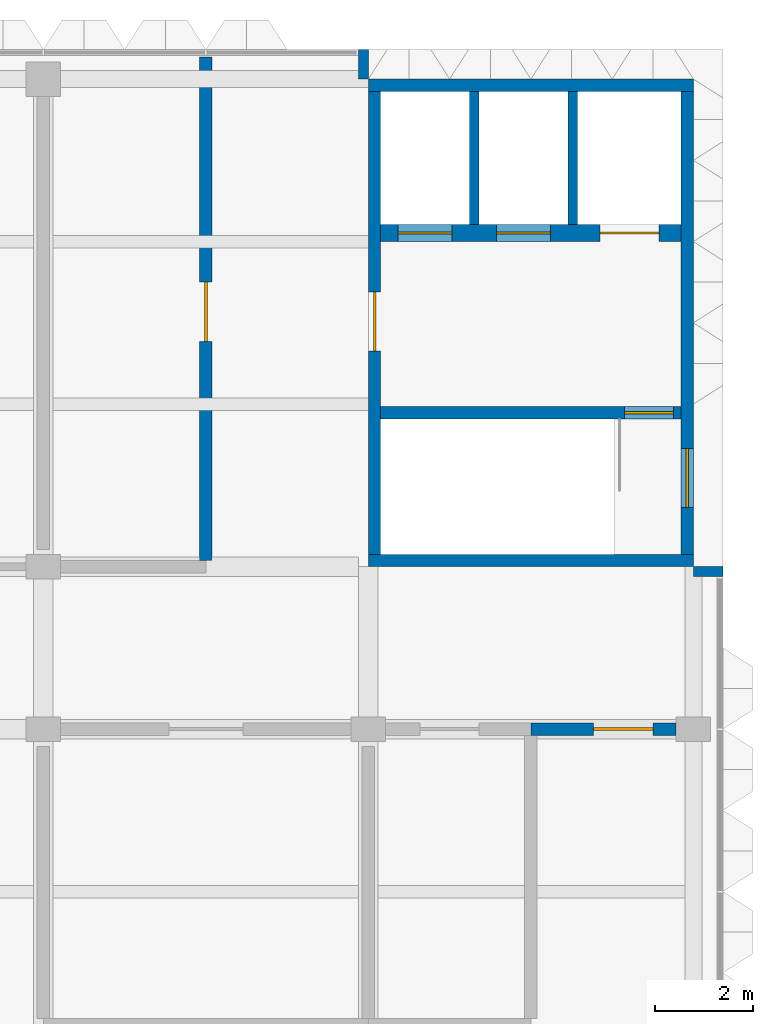
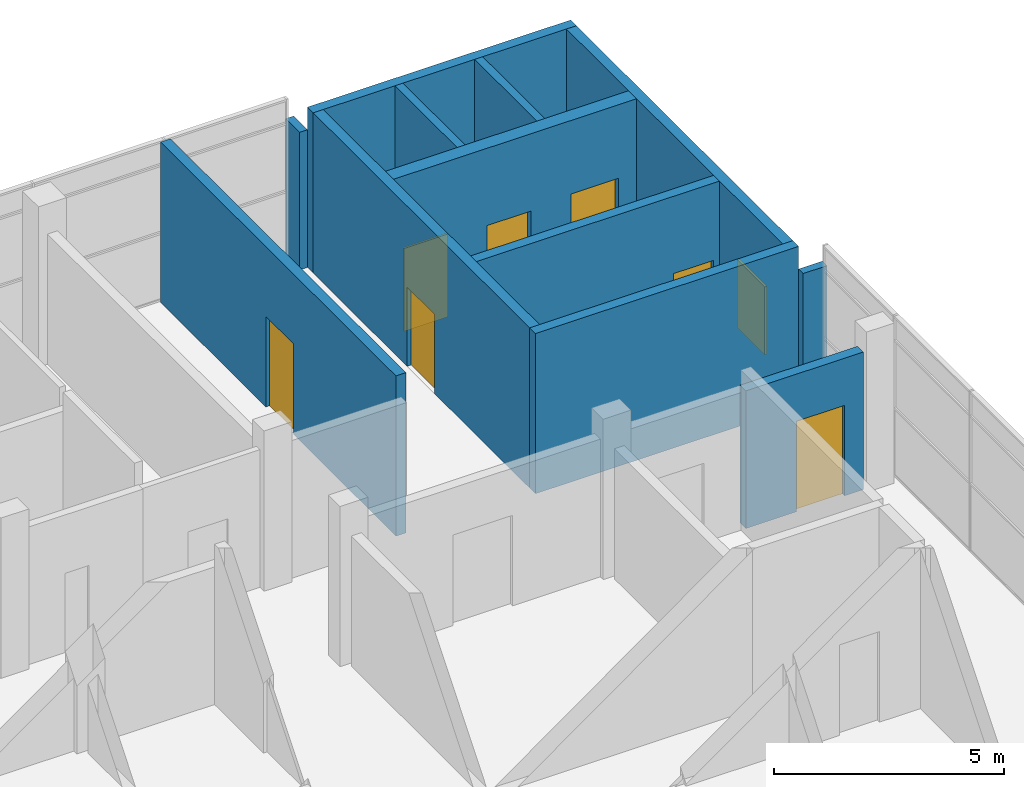
# One storey, part 10 of 21: 12 walls, 7 doors, 1 window, 8 openings.
"""IFC4 building model written with IfcOpenShell, lengths in metres."""

from ifc_helpers import new_model, si_unit, direction, frame, frame_2d, origin, place, context, subcontext, project, spatial, rectangle, extrude, material, layer, layer_set, type_object, element, fill, save


model = new_model("IFC4")

# Units and contexts
model_context = context("Model", 3, precision=1e-05, world=origin(), true_north=direction((0.0, 1.0)))
body_context = subcontext(model_context, "Body", "Model", "MODEL_VIEW")
ifc_project = project(units=[si_unit("LENGTHUNIT", "METRE"), si_unit("AREAUNIT", "SQUARE_METRE"), si_unit("VOLUMEUNIT", "CUBIC_METRE"), si_unit("PLANEANGLEUNIT", "RADIAN"), si_unit("MASSUNIT", "GRAM", prefix="KILO")], contexts=[model_context])

# Site, building, storey
site_placement = place(None, origin())
site = spatial("IfcSite", under=ifc_project, at=site_placement, CompositionType="ELEMENT")
building_placement = place(site_placement, origin())
building = spatial("IfcBuilding", under=site, at=building_placement, Name="Lantern Court Research Institute", CompositionType="ELEMENT")
storey_placement = place(building_placement, frame((0.0, 0.0, 41.39990234375)))
storey = spatial("IfcBuildingStorey", under=building, at=storey_placement, Name="L09", CompositionType="ELEMENT", Elevation=41.39990234375)

# Wall, opening, door
ifc_material_1 = material(Name="Fire-rated gypsum board partition, double stud, mineral wool filled")
ifc_layer_1 = layer(ifc_material_1, 0.25)
ifc_layer_set_1 = layer_set([ifc_layer_1], Name="Fire-rated gypsum board partition, double stud, mineral wool filled")
wall_type_1 = type_object("IfcWallType", Name="Plant compartment wall 250 EI 120", PredefinedType="PARTITIONING", material=ifc_layer_set_1)
wall_1_placement = place(storey_placement, frame((75.89990234375, 9.89990234375, 0.0), z_axis=(0.0, 0.0, 1.0), x_axis=(1.0, 0.0, 0.0)))
wall_1 = element("IfcWall", 1, at=wall_1_placement, inside=storey, type_object=wall_type_1, Name="Plant compartment wall 250 EI 120", PredefinedType="PARTITIONING", context=body_context, shape_type="SweptSolid", body=[
    extrude(rectangle(XDim=2.9501953125, YDim=0.25, at=frame_2d((1.47509765625, 0.0))), origin(), (0.0, 0.0, 1.0), 3.650146484375),
])
opening_1_placement = place(wall_1_placement, frame((1.27490234375, 0.0, 0.0)))
opening_1 = element("IfcOpeningElement", 2, at=opening_1_placement, cuts=wall_1, Name="Opening D5916", PredefinedType="OPENING", context=body_context, shape_type="SweptSolid", body=[
    extrude(rectangle(XDim=1.199951171875, YDim=2.39990234375, at=frame_2d((0.60009765625, 1.199951171875))), frame((0.0, 0.135009765625, 0.0), z_axis=(0.0, -1.0, 0.0), x_axis=(1.0, 0.0, 0.0)), (0.0, 0.0, 1.0), 0.27001953125),
])
ifc_material_2 = material(Name="Solid-core timber door leaf", Category="wood")
ifc_layer_2 = layer(ifc_material_2, 0.06005859375)
ifc_layer_set_2 = layer_set([ifc_layer_2], Name="Solid-core timber door leaf")
door_type_1 = type_object("IfcDoorType", Name="Plant room door 1200 x 2400 single FD60", OperationType="NOTDEFINED", PredefinedType="DOOR", material=ifc_layer_set_2)
door_1_placement = place(opening_1_placement, origin())
door_1 = element("IfcDoor", 3, at=door_1_placement, inside=storey, type_object=door_type_1, Name="Door D5916", OperationType="SINGLE_SWING_LEFT", OverallHeight=2.39990234375, OverallWidth=1.199951171875, PredefinedType="DOOR", context=body_context, shape_type="SweptSolid", body=[
    extrude(rectangle(XDim=1.199951171875, YDim=2.39990234375, at=frame_2d((0.60009765625, 1.199951171875))), frame((0.0, 0.030029296875, 0.0), z_axis=(0.0, -1.0, 0.0), x_axis=(1.0, 0.0, 0.0)), (0.0, 0.0, 1.0), 0.06005859375),
])
fill(opening_1, door_1)

wall_2_placement = place(storey_placement, frame((69.300048828125, 23.550048828125, 0.0), z_axis=(0.0, 0.0, 1.0), x_axis=(0.0, -1.0, 0.0)))
wall_2 = element("IfcWall", 4, at=wall_2_placement, inside=storey, type_object=wall_type_1, Name="Plant compartment wall 250 EI 120", PredefinedType="PARTITIONING", context=body_context, shape_type="SweptSolid", body=[
    extrude(rectangle(XDim=10.22509765625, YDim=0.25, at=frame_2d((5.112548828125, 0.0))), origin(), (0.0, 0.0, 1.0), 4.25),
])
opening_2_placement = place(wall_2_placement, frame((4.574951171875, 0.0, 0.0)))
opening_2 = element("IfcOpeningElement", 5, at=opening_2_placement, cuts=wall_2, Name="Opening D5908", PredefinedType="OPENING", context=body_context, shape_type="SweptSolid", body=[
    extrude(rectangle(XDim=1.199951171875, YDim=2.39990234375, at=frame_2d((0.60009765625, 1.199951171875))), frame((0.0, 0.135009765625, 0.0), z_axis=(0.0, -1.0, 0.0), x_axis=(1.0, 0.0, 0.0)), (0.0, 0.0, 1.0), 0.27001953125),
])
door_2_placement = place(opening_2_placement, origin())
door_2 = element("IfcDoor", 6, at=door_2_placement, inside=storey, type_object=door_type_1, Name="Door D5908", OperationType="SINGLE_SWING_RIGHT", OverallHeight=2.39990234375, OverallWidth=1.199951171875, PredefinedType="DOOR", context=body_context, shape_type="SweptSolid", body=[
    extrude(rectangle(XDim=1.199951171875, YDim=2.39990234375, at=frame_2d((0.60009765625, 1.199951171875))), frame((0.0, 0.030029296875, 0.0), z_axis=(0.0, -1.0, 0.0), x_axis=(1.0, 0.0, 0.0)), (0.0, 0.0, 1.0), 0.06005859375),
])
fill(opening_2, door_2)

# Wall
ifc_material_3 = material(Name="Concrete C40/50", Category="concrete")
ifc_layer_3 = layer(ifc_material_3, 0.25)
ifc_layer_set_3 = layer_set([ifc_layer_3], Name="Concrete C40/50")
wall_type_2 = type_object("IfcWallType", Name="RC core wall 250", PredefinedType="SHEAR", material=ifc_layer_set_3)
wall_3_placement = place(storey_placement, frame((72.60009765625, 13.324951171875, 0.0), z_axis=(0.0, 0.0, 1.0), x_axis=(1.0, 0.0, 0.0)))
element("IfcWall", 7, at=wall_3_placement, inside=storey, type_object=wall_type_2, Name="South wall of core TC-E", PredefinedType="SHEAR", context=body_context, shape_type="SweptSolid", body=[
    extrude(rectangle(XDim=6.599853515625, YDim=0.25, at=frame_2d((3.2998046875, 0.0))), origin(), (0.0, 0.0, 1.0), 4.25),
])

# Wall, opening, door
wall_4_placement = place(storey_placement, frame((72.72509765625, 13.449951171875, 0.0), z_axis=(0.0, 0.0, 1.0), x_axis=(0.0, 1.0, 0.0)))
wall_4 = element("IfcWall", 8, at=wall_4_placement, inside=storey, type_object=wall_type_2, Name="West wall of core TC-E", PredefinedType="SHEAR", context=body_context, shape_type="SweptSolid", body=[
    extrude(rectangle(XDim=9.400146484375, YDim=0.25, at=frame_2d((4.7001953125, 0.0))), origin(), (0.0, 0.0, 1.0), 4.25),
])
opening_3_placement = place(wall_4_placement, frame((4.125, 0.0, 0.0)))
opening_3 = element("IfcOpeningElement", 9, at=opening_3_placement, cuts=wall_4, Name="Opening D7192", PredefinedType="OPENING", context=body_context, shape_type="SweptSolid", body=[
    extrude(rectangle(XDim=1.199951171875, YDim=2.10009765625, at=frame_2d((0.60009765625, 1.050048828125))), frame((0.0, 0.135009765625, 0.0), z_axis=(0.0, -1.0, 0.0), x_axis=(1.0, 0.0, 0.0)), (0.0, 0.0, 1.0), 0.27001953125),
])
ifc_material_4 = material(Name="Steel fire door leaf with smoke seals", Category="steel")
door_type_2 = type_object("IfcDoorType", Name="Door 1200 x 2100 fire rated FD60S", OperationType="NOTDEFINED", PredefinedType="DOOR", material=ifc_material_4)
door_3_placement = place(opening_3_placement, origin())
door_3 = element("IfcDoor", 10, at=door_3_placement, inside=storey, type_object=door_type_2, Name="Lobby door", OperationType="SINGLE_SWING_LEFT", OverallHeight=2.10009765625, OverallWidth=1.199951171875, PredefinedType="DOOR", context=body_context, shape_type="SweptSolid", body=[
    extrude(rectangle(XDim=1.199951171875, YDim=2.10009765625, at=frame_2d((0.60009765625, 1.050048828125))), frame((0.0, 0.02490234375, 0.0), z_axis=(0.0, -1.0, 0.0), x_axis=(1.0, 0.0, 0.0)), (0.0, 0.0, 1.0), 0.050048828125),
])
fill(opening_3, door_3)

# Wall
ifc_material_5 = material(Name="Concrete C40/50", Category="concrete")
ifc_layer_4 = layer(ifc_material_5, 0.25)
ifc_layer_set_4 = layer_set([ifc_layer_4], Name="Concrete C40/50")
wall_type_3 = type_object("IfcWallType", Name="RC core wall 250 facade", PredefinedType="SHEAR", material=ifc_layer_set_4)
wall_5_placement = place(storey_placement, frame((72.60009765625, 22.97509765625, 0.0), z_axis=(0.0, 0.0, 1.0), x_axis=(1.0, 0.0, 0.0)))
element("IfcWall", 11, at=wall_5_placement, inside=storey, type_object=wall_type_3, Name="North wall of core TC-E", PredefinedType="SHEAR", context=body_context, shape_type="SweptSolid", body=[
    extrude(rectangle(XDim=6.599853515625, YDim=0.25, at=frame_2d((3.2998046875, 0.0))), origin(), (0.0, 0.0, 1.0), 4.25),
])

# Wall, opening, window
wall_6_placement = place(storey_placement, frame((79.074951171875, 13.449951171875, 0.0), z_axis=(0.0, 0.0, 1.0), x_axis=(0.0, 1.0, 0.0)))
wall_6 = element("IfcWall", 12, at=wall_6_placement, inside=storey, type_object=wall_type_3, Name="East wall of core TC-E", PredefinedType="SHEAR", context=body_context, shape_type="SweptSolid", body=[
    extrude(rectangle(XDim=9.400146484375, YDim=0.25, at=frame_2d((4.7001953125, 0.0))), origin(), (0.0, 0.0, 1.0), 4.25),
])
opening_4_placement = place(wall_6_placement, frame((0.949951171875, 0.0, 0.699951171875)))
opening_4 = element("IfcOpeningElement", 13, at=opening_4_placement, cuts=wall_6, Name="Opening W7", PredefinedType="OPENING", context=body_context, shape_type="SweptSolid", body=[
    extrude(rectangle(XDim=1.199951171875, YDim=1.800048828125, at=frame_2d((0.60009765625, 0.89990234375))), frame((0.0, 0.135009765625, 0.0), z_axis=(0.0, -1.0, 0.0), x_axis=(1.0, 0.0, 0.0)), (0.0, 0.0, 1.0), 0.27001953125),
])
ifc_material_6 = material(Name="Aluminium alloy 6063-T6 frame with laminated glass", Category="aluminium")
window_type = type_object("IfcWindowType", Name="Stair window 1200 x 1800", PartitioningType="SINGLE_PANEL", PredefinedType="WINDOW", material=ifc_material_6)
window_placement = place(opening_4_placement, origin())
window = element("IfcWindow", 14, at=window_placement, inside=storey, type_object=window_type, Name="Stair window", OverallHeight=1.800048828125, OverallWidth=1.199951171875, PartitioningType="SINGLE_PANEL", PredefinedType="WINDOW", context=body_context, shape_type="SweptSolid", body=[
    extrude(rectangle(XDim=1.199951171875, YDim=1.800048828125, at=frame_2d((0.60009765625, 0.89990234375))), frame((0.0, 0.030029296875, 0.0), z_axis=(0.0, -1.0, 0.0), x_axis=(1.0, 0.0, 0.0)), (0.0, 0.0, 1.0), 0.06005859375),
])
fill(opening_4, window)

# Walls
ifc_material_7 = material(Name="Concrete C40/50", Category="concrete")
ifc_layer_5 = layer(ifc_material_7, 0.199951171875)
ifc_layer_set_5 = layer_set([ifc_layer_5], Name="Concrete C40/50")
wall_type_4 = type_object("IfcWallType", Name="RC shaft wall 200", PredefinedType="SHEAR", material=ifc_layer_set_5)
for number, where, z_axis, x_axis, name in (
    (15, (74.75, 20.14990234375, 0.0), (0.0, 0.0, 1.0), (0.0, 1.0, 0.0), "Lift shaft wall of core TC-E"),
    (16, (76.75, 20.14990234375, 0.0), (0.0, 0.0, 1.0), (0.0, 1.0, 0.0), "Lift shaft wall of core TC-E"),
):
    element("IfcWall", number, at=place(storey_placement, frame(where, z_axis=z_axis, x_axis=x_axis)), inside=storey, type_object=wall_type_4, Name=name, PredefinedType="SHEAR", context=body_context, shape_type="SweptSolid", body=[
        extrude(rectangle(XDim=2.7001953125, YDim=0.199951171875, at=frame_2d((1.35009765625, 0.0))), origin(), (0.0, 0.0, 1.0), 4.25),
    ])

# Wall, opening, door
ifc_material_8 = material(Name="Concrete C40/50", Category="concrete")
ifc_layer_6 = layer(ifc_material_8, 0.25)
ifc_layer_set_6 = layer_set([ifc_layer_6], Name="Concrete C40/50")
wall_type_5 = type_object("IfcWallType", Name="RC shaft wall 250", PredefinedType="SHEAR", material=ifc_layer_set_6)
wall_7_placement = place(storey_placement, frame((72.85009765625, 16.324951171875, 0.0), z_axis=(0.0, 0.0, 1.0), x_axis=(1.0, 0.0, 0.0)))
wall_7 = element("IfcWall", 17, at=wall_7_placement, inside=storey, type_object=wall_type_5, Name="Stair wall of core TC-E", PredefinedType="SHEAR", context=body_context, shape_type="SweptSolid", body=[
    extrude(rectangle(XDim=6.099853515625, YDim=0.25, at=frame_2d((3.0498046875, 0.0))), origin(), (0.0, 0.0, 1.0), 4.25),
])
opening_5_placement = place(wall_7_placement, frame((4.949951171875, 0.0, 0.0)))
opening_5 = element("IfcOpeningElement", 18, at=opening_5_placement, cuts=wall_7, Name="Opening D7193", PredefinedType="OPENING", context=body_context, shape_type="SweptSolid", body=[
    extrude(rectangle(XDim=1.0, YDim=2.199951171875, at=frame_2d((0.5, 1.10009765625))), frame((0.0, 0.135009765625, 0.0), z_axis=(0.0, -1.0, 0.0), x_axis=(1.0, 0.0, 0.0)), (0.0, 0.0, 1.0), 0.27001953125),
])
ifc_material_9 = material(Name="Steel fire door leaf with smoke seals", Category="steel")
door_type_3 = type_object("IfcDoorType", Name="Door 1000 x 2200 fire rated FD60S", OperationType="NOTDEFINED", PredefinedType="DOOR", material=ifc_material_9)
door_4_placement = place(opening_5_placement, origin())
door_4 = element("IfcDoor", 19, at=door_4_placement, inside=storey, type_object=door_type_3, Name="Stair door", OperationType="SINGLE_SWING_RIGHT", OverallHeight=2.199951171875, OverallWidth=1.0, PredefinedType="DOOR", context=body_context, shape_type="SweptSolid", body=[
    extrude(rectangle(XDim=1.0, YDim=2.199951171875, at=frame_2d((0.5, 1.10009765625))), frame((0.0, 0.02490234375, 0.0), z_axis=(0.0, -1.0, 0.0), x_axis=(1.0, 0.0, 0.0)), (0.0, 0.0, 1.0), 0.050048828125),
])
fill(opening_5, door_4)

# Wall, openings, doors
ifc_material_10 = material(Name="Concrete C40/50", Category="concrete")
ifc_layer_7 = layer(ifc_material_10, 0.35009765625)
ifc_layer_set_7 = layer_set([ifc_layer_7], Name="Concrete C40/50")
wall_type_6 = type_object("IfcWallType", Name="RC shaft wall 350", PredefinedType="SHEAR", material=ifc_layer_set_7)
wall_8_placement = place(storey_placement, frame((72.85009765625, 19.97509765625, 0.0), z_axis=(0.0, 0.0, 1.0), x_axis=(1.0, 0.0, 0.0)))
wall_8 = element("IfcWall", 20, at=wall_8_placement, inside=storey, type_object=wall_type_6, Name="Lift shaft wall of core TC-E", PredefinedType="SHEAR", context=body_context, shape_type="SweptSolid", body=[
    extrude(rectangle(XDim=6.099853515625, YDim=0.35009765625, at=frame_2d((3.0498046875, 0.0))), origin(), (0.0, 0.0, 1.0), 4.25),
])
opening_6_placement = place(wall_8_placement, frame((0.35009765625, 0.0, 0.0)))
opening_6 = element("IfcOpeningElement", 21, at=opening_6_placement, cuts=wall_8, Name="Opening D7194", PredefinedType="OPENING", context=body_context, shape_type="SweptSolid", body=[
    extrude(rectangle(XDim=1.10009765625, YDim=2.199951171875, at=frame_2d((0.550048828125, 1.10009765625))), frame((0.0, 0.18505859375, 0.0), z_axis=(0.0, -1.0, 0.0), x_axis=(1.0, 0.0, 0.0)), (0.0, 0.0, 1.0), 0.3701171875),
])
opening_7_placement = place(wall_8_placement, frame((2.35009765625, 0.0, 0.0)))
opening_7 = element("IfcOpeningElement", 22, at=opening_7_placement, cuts=wall_8, Name="Opening D7195", PredefinedType="OPENING", context=body_context, shape_type="SweptSolid", body=[
    extrude(rectangle(XDim=1.10009765625, YDim=2.199951171875, at=frame_2d((0.550048828125, 1.10009765625))), frame((0.0, 0.18505859375, 0.0), z_axis=(0.0, -1.0, 0.0), x_axis=(1.0, 0.0, 0.0)), (0.0, 0.0, 1.0), 0.3701171875),
])
opening_8_placement = place(wall_8_placement, frame((4.449951171875, 0.0, 0.0)))
opening_8 = element("IfcOpeningElement", 23, at=opening_8_placement, cuts=wall_8, Name="Opening D7196", PredefinedType="OPENING", context=body_context, shape_type="SweptSolid", body=[
    extrude(rectangle(XDim=1.199951171875, YDim=2.300048828125, at=frame_2d((0.60009765625, 1.14990234375))), frame((0.0, 0.18505859375, 0.0), z_axis=(0.0, -1.0, 0.0), x_axis=(1.0, 0.0, 0.0)), (0.0, 0.0, 1.0), 0.3701171875),
])
ifc_material_11 = material(Name="Stainless steel landing door panels", Category="steel")
door_type_4 = type_object("IfcDoorType", Name="Lift landing door 1100 x 2200 sliding FD60", OperationType="DOUBLE_DOOR_SLIDING", PredefinedType="NOTDEFINED", material=ifc_material_11)
door_5_placement = place(opening_6_placement, origin())
door_5 = element("IfcDoor", 24, at=door_5_placement, inside=storey, type_object=door_type_4, Name="Landing door", OperationType="DOUBLE_DOOR_SLIDING", OverallHeight=2.199951171875, OverallWidth=1.10009765625, PredefinedType="NOTDEFINED", context=body_context, shape_type="SweptSolid", body=[
    extrude(rectangle(XDim=1.10009765625, YDim=2.199951171875, at=frame_2d((0.550048828125, 1.10009765625))), frame((0.0, 0.02490234375, 0.0), z_axis=(0.0, -1.0, 0.0), x_axis=(1.0, 0.0, 0.0)), (0.0, 0.0, 1.0), 0.050048828125),
])
fill(opening_6, door_5)
door_6_placement = place(opening_7_placement, origin())
door_6 = element("IfcDoor", 25, at=door_6_placement, inside=storey, type_object=door_type_4, Name="Landing door", OperationType="DOUBLE_DOOR_SLIDING", OverallHeight=2.199951171875, OverallWidth=1.10009765625, PredefinedType="NOTDEFINED", context=body_context, shape_type="SweptSolid", body=[
    extrude(rectangle(XDim=1.10009765625, YDim=2.199951171875, at=frame_2d((0.550048828125, 1.10009765625))), frame((0.0, 0.02490234375, 0.0), z_axis=(0.0, -1.0, 0.0), x_axis=(1.0, 0.0, 0.0)), (0.0, 0.0, 1.0), 0.050048828125),
])
fill(opening_7, door_6)
ifc_material_12 = material(Name="Stainless steel landing door panels", Category="steel")
door_type_5 = type_object("IfcDoorType", Name="Lift landing door 1200 x 2300 sliding FD60", OperationType="DOUBLE_DOOR_SLIDING", PredefinedType="NOTDEFINED", material=ifc_material_12)
door_7_placement = place(opening_8_placement, origin())
door_7 = element("IfcDoor", 26, at=door_7_placement, inside=storey, type_object=door_type_5, Name="Landing door", OperationType="DOUBLE_DOOR_SLIDING", OverallHeight=2.300048828125, OverallWidth=1.199951171875, PredefinedType="NOTDEFINED", context=body_context, shape_type="SweptSolid", body=[
    extrude(rectangle(XDim=1.199951171875, YDim=2.300048828125, at=frame_2d((0.60009765625, 1.14990234375))), frame((0.0, 0.02490234375, 0.0), z_axis=(0.0, -1.0, 0.0), x_axis=(1.0, 0.0, 0.0)), (0.0, 0.0, 1.0), 0.050048828125),
])
fill(opening_8, door_7)

# Walls
ifc_material_13 = material(Name="Concrete C40/50", Category="concrete")
ifc_layer_8 = layer(ifc_material_13, 0.199951171875)
ifc_layer_set_8 = layer_set([ifc_layer_8], Name="Concrete C40/50")
wall_type_7 = type_object("IfcWallType", Name="Return wall 200 concrete EI 120 aluminium faced", PredefinedType="STANDARD", material=ifc_layer_set_8)
wall_9_placement = place(storey_placement, frame((79.199951171875, 13.10009765625, 0.0), z_axis=(0.0, 0.0, 1.0), x_axis=(1.0, 0.0, 0.0)))
element("IfcWall", 27, at=wall_9_placement, inside=storey, type_object=wall_type_7, Name="Core return wall 67", PredefinedType="STANDARD", context=body_context, shape_type="SweptSolid", body=[
    extrude(rectangle(XDim=0.60009765625, YDim=0.199951171875, at=frame_2d((0.300048828125, 0.0))), origin(), (0.0, 0.0, 1.0), 3.650146484375),
])
wall_10_placement = place(storey_placement, frame((72.5, 23.10009765625, 0.0), z_axis=(0.0, 0.0, 1.0), x_axis=(0.0, 1.0, 0.0)))
element("IfcWall", 28, at=wall_10_placement, inside=storey, type_object=wall_type_7, Name="Core return wall 68", PredefinedType="STANDARD", context=body_context, shape_type="SweptSolid", body=[
    extrude(rectangle(XDim=0.599853515625, YDim=0.199951171875, at=frame_2d((0.2998046875, 0.0))), origin(), (0.0, 0.0, 1.0), 3.650146484375),
])

save(model, "model.ifc")
